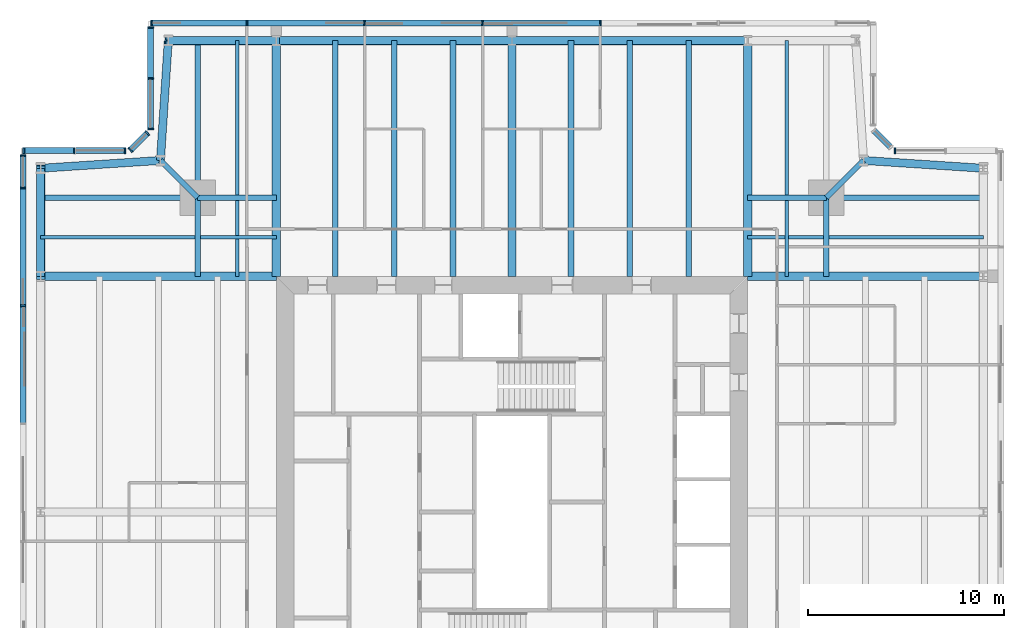
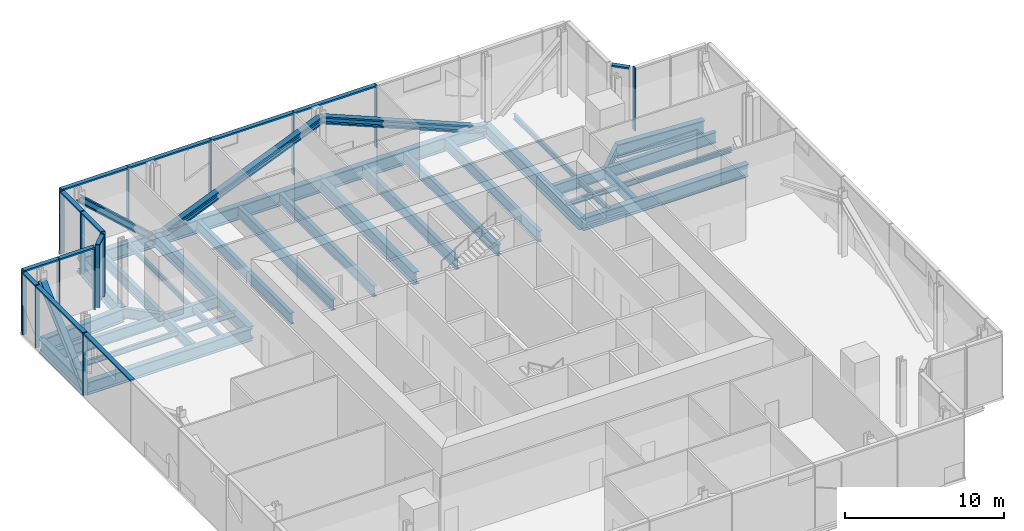
# One storey, part 4 of 15: 37 beams, 34 members, 7 elements without a shape of their own.
"""IFC4 building model written with IfcOpenShell, lengths in metres."""

from ifc_helpers import new_model, si_unit, direction, frame, origin, origin_2d, place, context, subcontext, project, spatial, rectangle, i_section, extrude, material, material_profile, profile_set, type_object, element, aggregate, save


model = new_model("IFC4")

# Units and contexts
model_context = context("Model", 3, precision=1e-05, world=origin(), true_north=direction((0.0, 1.0)))
body_context = subcontext(model_context, "Body", "Model", "MODEL_VIEW")
ifc_project = project(units=[si_unit("LENGTHUNIT", "METRE"), si_unit("AREAUNIT", "SQUARE_METRE"), si_unit("VOLUMEUNIT", "CUBIC_METRE"), si_unit("PLANEANGLEUNIT", "RADIAN"), si_unit("MASSUNIT", "GRAM", prefix="KILO")], contexts=[model_context])

# Site, building, storey
site_placement = place(None, origin())
site = spatial("IfcSite", under=ifc_project, at=site_placement, CompositionType="ELEMENT")
building_placement = place(site_placement, origin())
building = spatial("IfcBuilding", under=site, at=building_placement, Name="Fenwick Lantern Interchange", CompositionType="ELEMENT")
storey_placement = place(building_placement, frame((0.0, 0.0, 296.800048828125)))
storey = spatial("IfcBuildingStorey", under=building, at=storey_placement, Name="L72", CompositionType="ELEMENT", Elevation=296.800048828125)

# Beams
ifc_material_1 = material(Name="Steel ASTM A992 Grade 50", Category="steel")
ifc_material_profile_1 = material_profile(ifc_material_1, i_section(OverallWidth=0.408935546875, OverallDepth=1.04150390625, WebThickness=0.031005859375, FlangeThickness=0.055908203125, at=origin_2d()), Name="W40X397")
ifc_profile_set_1 = profile_set([ifc_material_profile_1], Name="Steel ASTM A992 Grade 50")
beam_type_1 = type_object("IfcBeamType", Name="EDGE BEAM W40X397", PredefinedType="SPANDREL", material=ifc_profile_set_1)
beam_1_placement = place(storey_placement, frame((49.0, 42.5, -0.720703125), z_axis=(-0.997858060337, 0.065416293237, 0.0), x_axis=(-0.065416293237, -0.997858060337, 0.0)))
element("IfcBeam", 1, at=beam_1_placement, inside=storey, type_object=beam_type_1, Name="L72/FR/E/EBR1", PredefinedType="SPANDREL", context=body_context, shape_type="SweptSolid", body=[
    extrude(i_section(OverallWidth=0.408935546875, OverallDepth=1.04150390625, WebThickness=0.031005859375, FlangeThickness=0.055908203125, at=origin_2d()), origin(), (0.0, 0.0, 1.0), 6.11328125),
])
for number, where, z_axis, x_axis, name in (
    (2, (37.0, 49.0, -0.720703125), (-1.0, 0.0, 0.0), (0.0, -1.0, 0.0), "L72/FR/N/EB2"),
    (3, (25.0, 49.0, -0.720703125), (-1.0, 0.0, 0.0), (0.0, -1.0, 0.0), "L72/FR/N/EB3"),
):
    element("IfcBeam", number, at=place(storey_placement, frame(where, z_axis=z_axis, x_axis=x_axis)), inside=storey, type_object=beam_type_1, Name=name, PredefinedType="SPANDREL", context=body_context, shape_type="SweptSolid", body=[
        extrude(i_section(OverallWidth=0.408935546875, OverallDepth=1.04150390625, WebThickness=0.031005859375, FlangeThickness=0.055908203125, at=origin_2d()), origin(), (0.0, 0.0, 1.0), 12.0),
    ])
beam_2_placement = place(storey_placement, frame((13.0, 49.0, -0.720703125), z_axis=(-1.0, 0.0, 0.0), x_axis=(0.0, -1.0, 0.0)))
element("IfcBeam", 4, at=beam_2_placement, inside=storey, type_object=beam_type_1, Name="L72/FR/N/EB4", PredefinedType="SPANDREL", context=body_context, shape_type="SweptSolid", body=[
    extrude(i_section(OverallWidth=0.408935546875, OverallDepth=1.04150390625, WebThickness=0.031005859375, FlangeThickness=0.055908203125, at=origin_2d()), origin(), (0.0, 0.0, 1.0), 5.5),
])
for number, where, z_axis, x_axis, name in (
    (5, (7.5, 49.0, -0.720703125), (-0.065416293237, -0.997858060337, 0.0), (0.997858060337, -0.065416293237, 0.0), "L72/FR/N/EBR1"),
    (6, (7.10009765625, 42.89990234375, -0.720703125), (-0.997858060337, -0.065416293237, 0.0), (0.065416293237, -0.997858060337, 0.0), "L72/FR/N/EBR2"),
):
    element("IfcBeam", number, at=place(storey_placement, frame(where, z_axis=z_axis, x_axis=x_axis)), inside=storey, type_object=beam_type_1, Name=name, PredefinedType="SPANDREL", context=body_context, shape_type="SweptSolid", body=[
        extrude(i_section(OverallWidth=0.408935546875, OverallDepth=1.04150390625, WebThickness=0.031005859375, FlangeThickness=0.055908203125, at=origin_2d()), origin(), (0.0, 0.0, 1.0), 6.11328125),
    ])
beam_3_placement = place(storey_placement, frame((1.0, 42.5, -0.720703125), z_axis=(0.0, -1.0, 0.0), x_axis=(1.0, 0.0, 0.0)))
element("IfcBeam", 7, at=beam_3_placement, inside=storey, type_object=beam_type_1, Name="L72/FR/W/EB1", PredefinedType="SPANDREL", context=body_context, shape_type="SweptSolid", body=[
    extrude(i_section(OverallWidth=0.408935546875, OverallDepth=1.04150390625, WebThickness=0.031005859375, FlangeThickness=0.055908203125, at=origin_2d()), origin(), (0.0, 0.0, 1.0), 5.5),
])

# Members
ifc_material_profile_2 = material_profile(ifc_material_1, i_section(OverallWidth=0.424072265625, OverallDepth=0.47509765625, WebThickness=0.0478515625, FlangeThickness=0.0771484375, at=origin_2d()), Name="W14X426")
ifc_profile_set_2 = profile_set([ifc_material_profile_2], Name="Steel ASTM A992 Grade 50")
member_type_1 = type_object("IfcMemberType", Name="FACADE BRACE W14X426", PredefinedType="BRACE", material=ifc_profile_set_2)
for number, where, z_axis, x_axis, name in (
    (8, (13.0, 49.0, -0.720703125), (-0.739940073396, 0.0, 0.672672793996), (0.0, -1.0, 0.0), "L72/FB/N/BE"),
    (9, (1.0, 37.0, -0.720703125), (0.0, 0.739940073396, 0.672672793996), (-1.0, 0.0, 0.0), "L72/FB/W/AE"),
):
    element("IfcMember", number, at=place(storey_placement, frame(where, z_axis=z_axis, x_axis=x_axis)), inside=storey, type_object=member_type_1, Name=name, PredefinedType="BRACE", context=body_context, shape_type="SweptSolid", body=[
        extrude(i_section(OverallWidth=0.424072265625, OverallDepth=0.47509765625, WebThickness=0.0478515625, FlangeThickness=0.0771484375, at=origin_2d()), origin(), (0.0, 0.0, 1.0), 7.43310546875),
    ])
ifc_material_profile_3 = material_profile(ifc_material_1, i_section(OverallWidth=0.44189453125, OverallDepth=0.53076171875, WebThickness=0.06591796875, FlangeThickness=0.105712890625, at=origin_2d()), Name="W14X605")
ifc_profile_set_3 = profile_set([ifc_material_profile_3], Name="Steel ASTM A992 Grade 50")
member_type_2 = type_object("IfcMemberType", Name="FACADE BRACE W14X605", PredefinedType="BRACE", material=ifc_profile_set_3)
for number, where, z_axis, x_axis, name in (
    (10, (37.0, 49.0, -0.720703125), (-0.923076923077, 0.0, 0.384615384615), (0.0, -1.0, 0.0), "L72/FB/N/A"),
    (11, (13.0, 49.0, -0.720703125), (0.923076923077, 0.0, 0.384615384615), (0.0, 1.0, 0.0), "L72/FB/N/B"),
):
    element("IfcMember", number, at=place(storey_placement, frame(where, z_axis=z_axis, x_axis=x_axis)), inside=storey, type_object=member_type_2, Name=name, PredefinedType="BRACE", context=body_context, shape_type="SweptSolid", body=[
        extrude(i_section(OverallWidth=0.44189453125, OverallDepth=0.53076171875, WebThickness=0.06591796875, FlangeThickness=0.105712890625, at=origin_2d()), origin(), (0.0, 0.0, 1.0), 13.0),
    ])

# Beams
ifc_material_profile_4 = material_profile(ifc_material_1, i_section(OverallWidth=0.2919921875, OverallDepth=0.845703125, WebThickness=0.015380859375, FlangeThickness=0.0244140625, at=origin_2d()), Name="W33X141")
ifc_profile_set_4 = profile_set([ifc_material_profile_4], Name="Steel ASTM A992 Grade 50")
beam_type_2 = type_object("IfcBeamType", Name="FLOOR BEAM W33X141", PredefinedType="BEAM", material=ifc_profile_set_4)
for number, where, z_axis, x_axis, name in (
    (12, (34.0, 49.0, -0.623046875), (0.0, -1.0, 0.0), (1.0, 0.0, 0.0), "L72/FR/N/R02"),
    (13, (31.0, 49.0, -0.623046875), (0.0, -1.0, 0.0), (1.0, 0.0, 0.0), "L72/FR/N/R03"),
    (14, (28.0, 49.0, -0.623046875), (0.0, -1.0, 0.0), (1.0, 0.0, 0.0), "L72/FR/N/R04"),
    (15, (22.0, 49.0, -0.623046875), (0.0, -1.0, 0.0), (1.0, 0.0, 0.0), "L72/FR/N/R06"),
    (16, (19.0, 49.0, -0.623046875), (0.0, -1.0, 0.0), (1.0, 0.0, 0.0), "L72/FR/N/R07"),
    (17, (16.0, 49.0, -0.623046875), (0.0, -1.0, 0.0), (1.0, 0.0, 0.0), "L72/FR/N/R08"),
):
    element("IfcBeam", number, at=place(storey_placement, frame(where, z_axis=z_axis, x_axis=x_axis)), inside=storey, type_object=beam_type_2, Name=name, PredefinedType="BEAM", context=body_context, shape_type="SweptSolid", body=[
        extrude(i_section(OverallWidth=0.2919921875, OverallDepth=0.845703125, WebThickness=0.015380859375, FlangeThickness=0.0244140625, at=origin_2d()), origin(), (0.0, 0.0, 1.0), 12.0),
    ])
ifc_material_profile_5 = material_profile(ifc_material_1, i_section(OverallWidth=0.177734375, OverallDepth=0.406494140625, WebThickness=0.0078125, FlangeThickness=0.012939453125, at=origin_2d()), Name="W16X40")
ifc_profile_set_5 = profile_set([ifc_material_profile_5], Name="Steel ASTM A992 Grade 50")
beam_type_3 = type_object("IfcBeamType", Name="INFILL BEAM W16X40", PredefinedType="JOIST", material=ifc_profile_set_5)
beam_4_placement = place(storey_placement, frame((39.0, 49.0, -0.4033203125), z_axis=(0.0, -1.0, 0.0), x_axis=(1.0, 0.0, 0.0)))
element("IfcBeam", 18, at=beam_4_placement, inside=storey, type_object=beam_type_3, Name="L72/FR/N/J1", PredefinedType="JOIST", context=body_context, shape_type="SweptSolid", body=[
    extrude(i_section(OverallWidth=0.177734375, OverallDepth=0.406494140625, WebThickness=0.0078125, FlangeThickness=0.012939453125, at=origin_2d()), origin(), (0.0, 0.0, 1.0), 7.85400390625),
])
beam_5_placement = place(storey_placement, frame((39.0, 40.85400390625, -0.4033203125), z_axis=(0.0, -1.0, 0.0), x_axis=(1.0, 0.0, 0.0)))
element("IfcBeam", 19, at=beam_5_placement, inside=storey, type_object=beam_type_3, Name="L72/FR/N/J2", PredefinedType="JOIST", context=body_context, shape_type="SweptSolid", body=[
    extrude(i_section(OverallWidth=0.177734375, OverallDepth=0.406494140625, WebThickness=0.0078125, FlangeThickness=0.012939453125, at=origin_2d()), origin(), (0.0, 0.0, 1.0), 3.85400390625),
])
beam_6_placement = place(storey_placement, frame((49.0, 39.0, -0.4033203125), z_axis=(-1.0, 0.0, 0.0), x_axis=(0.0, -1.0, 0.0)))
element("IfcBeam", 20, at=beam_6_placement, inside=storey, type_object=beam_type_3, Name="L72/FR/N/J3", PredefinedType="JOIST", context=body_context, shape_type="SweptSolid", body=[
    extrude(i_section(OverallWidth=0.177734375, OverallDepth=0.406494140625, WebThickness=0.0078125, FlangeThickness=0.012939453125, at=origin_2d()), origin(), (0.0, 0.0, 1.0), 7.85400390625),
])
beam_7_placement = place(storey_placement, frame((40.85400390625, 39.0, -0.4033203125), z_axis=(-1.0, 0.0, 0.0), x_axis=(0.0, -1.0, 0.0)))
element("IfcBeam", 21, at=beam_7_placement, inside=storey, type_object=beam_type_3, Name="L72/FR/N/J4", PredefinedType="JOIST", context=body_context, shape_type="SweptSolid", body=[
    extrude(i_section(OverallWidth=0.177734375, OverallDepth=0.406494140625, WebThickness=0.0078125, FlangeThickness=0.012939453125, at=origin_2d()), origin(), (0.0, 0.0, 1.0), 1.76513671875),
])
beam_8_placement = place(storey_placement, frame((38.9111328125, 39.0, -0.4033203125), z_axis=(-1.0, 0.0, 0.0), x_axis=(0.0, -1.0, 0.0)))
element("IfcBeam", 22, at=beam_8_placement, inside=storey, type_object=beam_type_3, Name="L72/FR/N/J5", PredefinedType="JOIST", context=body_context, shape_type="SweptSolid", body=[
    extrude(i_section(OverallWidth=0.177734375, OverallDepth=0.406494140625, WebThickness=0.0078125, FlangeThickness=0.012939453125, at=origin_2d()), origin(), (0.0, 0.0, 1.0), 1.9111328125),
])
beam_9_placement = place(storey_placement, frame((1.0, 39.0, -0.4033203125), z_axis=(1.0, 0.0, 0.0), x_axis=(0.0, 1.0, 0.0)))
element("IfcBeam", 23, at=beam_9_placement, inside=storey, type_object=beam_type_3, Name="L72/FR/W/J1", PredefinedType="JOIST", context=body_context, shape_type="SweptSolid", body=[
    extrude(i_section(OverallWidth=0.177734375, OverallDepth=0.406494140625, WebThickness=0.0078125, FlangeThickness=0.012939453125, at=origin_2d()), origin(), (0.0, 0.0, 1.0), 7.85400390625),
])
beam_10_placement = place(storey_placement, frame((9.14599609375, 39.0, -0.4033203125), z_axis=(1.0, 0.0, 0.0), x_axis=(0.0, 1.0, 0.0)))
element("IfcBeam", 24, at=beam_10_placement, inside=storey, type_object=beam_type_3, Name="L72/FR/W/J2", PredefinedType="JOIST", context=body_context, shape_type="SweptSolid", body=[
    extrude(i_section(OverallWidth=0.177734375, OverallDepth=0.406494140625, WebThickness=0.0078125, FlangeThickness=0.012939453125, at=origin_2d()), origin(), (0.0, 0.0, 1.0), 3.85400390625),
])
beam_11_placement = place(storey_placement, frame((11.0, 49.0, -0.4033203125), z_axis=(0.0, -1.0, 0.0), x_axis=(1.0, 0.0, 0.0)))
element("IfcBeam", 25, at=beam_11_placement, inside=storey, type_object=beam_type_3, Name="L72/FR/W/J3", PredefinedType="JOIST", context=body_context, shape_type="SweptSolid", body=[
    extrude(i_section(OverallWidth=0.177734375, OverallDepth=0.406494140625, WebThickness=0.0078125, FlangeThickness=0.012939453125, at=origin_2d()), origin(), (0.0, 0.0, 1.0), 7.85400390625),
])
beam_12_placement = place(storey_placement, frame((11.0, 40.85400390625, -0.4033203125), z_axis=(0.0, -1.0, 0.0), x_axis=(1.0, 0.0, 0.0)))
element("IfcBeam", 26, at=beam_12_placement, inside=storey, type_object=beam_type_3, Name="L72/FR/W/J4", PredefinedType="JOIST", context=body_context, shape_type="SweptSolid", body=[
    extrude(i_section(OverallWidth=0.177734375, OverallDepth=0.406494140625, WebThickness=0.0078125, FlangeThickness=0.012939453125, at=origin_2d()), origin(), (0.0, 0.0, 1.0), 1.76513671875),
])
beam_13_placement = place(storey_placement, frame((11.0, 38.9111328125, -0.4033203125), z_axis=(0.0, -1.0, 0.0), x_axis=(1.0, 0.0, 0.0)))
element("IfcBeam", 27, at=beam_13_placement, inside=storey, type_object=beam_type_3, Name="L72/FR/W/J5", PredefinedType="JOIST", context=body_context, shape_type="SweptSolid", body=[
    extrude(i_section(OverallWidth=0.177734375, OverallDepth=0.406494140625, WebThickness=0.0078125, FlangeThickness=0.012939453125, at=origin_2d()), origin(), (0.0, 0.0, 1.0), 1.9111328125),
])
ifc_material_profile_6 = material_profile(ifc_material_1, i_section(OverallWidth=0.2919921875, OverallDepth=0.845703125, WebThickness=0.015380859375, FlangeThickness=0.0244140625, at=origin_2d()), Name="W33X141")
ifc_profile_set_6 = profile_set([ifc_material_profile_6], Name="Steel ASTM A992 Grade 50")
beam_type_4 = type_object("IfcBeamType", Name="MEGA COLUMN BEAM W33X141", PredefinedType="BEAM", material=ifc_profile_set_6)
beam_14_placement = place(storey_placement, frame((41.0, 41.0, -0.623046875), z_axis=(1.0, 0.0, 0.0), x_axis=(0.0, 1.0, 0.0)))
element("IfcBeam", 28, at=beam_14_placement, inside=storey, type_object=beam_type_4, Name="L72/FR/N/MB2", PredefinedType="BEAM", context=body_context, shape_type="SweptSolid", body=[
    extrude(i_section(OverallWidth=0.2919921875, OverallDepth=0.845703125, WebThickness=0.015380859375, FlangeThickness=0.0244140625, at=origin_2d()), origin(), (0.0, 0.0, 1.0), 8.0),
])
for number, where, z_axis, x_axis, name in (
    (29, (41.0, 41.0, -0.623046875), (-1.0, 0.0, 0.0), (0.0, -1.0, 0.0), "L72/FR/N/MB3"),
    (30, (41.0, 41.0, -0.623046875), (0.0, -1.0, 0.0), (1.0, 0.0, 0.0), "L72/FR/N/MB4"),
):
    element("IfcBeam", number, at=place(storey_placement, frame(where, z_axis=z_axis, x_axis=x_axis)), inside=storey, type_object=beam_type_4, Name=name, PredefinedType="BEAM", context=body_context, shape_type="SweptSolid", body=[
        extrude(i_section(OverallWidth=0.2919921875, OverallDepth=0.845703125, WebThickness=0.015380859375, FlangeThickness=0.0244140625, at=origin_2d()), origin(), (0.0, 0.0, 1.0), 4.0),
    ])
for number, where, z_axis, x_axis, name in (
    (31, (9.0, 41.0, -0.623046875), (-1.0, 0.0, 0.0), (0.0, -1.0, 0.0), "L72/FR/W/MB1"),
    (32, (9.0, 41.0, -0.623046875), (0.0, 1.0, 0.0), (-1.0, 0.0, 0.0), "L72/FR/W/MB2"),
):
    element("IfcBeam", number, at=place(storey_placement, frame(where, z_axis=z_axis, x_axis=x_axis)), inside=storey, type_object=beam_type_4, Name=name, PredefinedType="BEAM", context=body_context, shape_type="SweptSolid", body=[
        extrude(i_section(OverallWidth=0.2919921875, OverallDepth=0.845703125, WebThickness=0.015380859375, FlangeThickness=0.0244140625, at=origin_2d()), origin(), (0.0, 0.0, 1.0), 8.0),
    ])
for number, where, z_axis, x_axis, name in (
    (33, (9.0, 41.0, -0.623046875), (0.0, -1.0, 0.0), (1.0, 0.0, 0.0), "L72/FR/W/MB3"),
    (34, (9.0, 41.0, -0.623046875), (1.0, 0.0, 0.0), (0.0, 1.0, 0.0), "L72/FR/W/MB4"),
):
    element("IfcBeam", number, at=place(storey_placement, frame(where, z_axis=z_axis, x_axis=x_axis)), inside=storey, type_object=beam_type_4, Name=name, PredefinedType="BEAM", context=body_context, shape_type="SweptSolid", body=[
        extrude(i_section(OverallWidth=0.2919921875, OverallDepth=0.845703125, WebThickness=0.015380859375, FlangeThickness=0.0244140625, at=origin_2d()), origin(), (0.0, 0.0, 1.0), 4.0),
    ])
ifc_material_profile_7 = material_profile(ifc_material_1, i_section(OverallWidth=0.424072265625, OverallDepth=0.947509765625, WebThickness=0.02392578125, FlangeThickness=0.042724609375, at=origin_2d()), Name="W36X302")
ifc_profile_set_7 = profile_set([ifc_material_profile_7], Name="Steel ASTM A992 Grade 50")
beam_type_5 = type_object("IfcBeamType", Name="MOMENT-CONNECTED GIRDER W36X302", PredefinedType="BEAM", material=ifc_profile_set_7)
for number, where, z_axis, x_axis, name in (
    (35, (49.0, 37.0, -0.673828125), (-1.0, 0.0, 0.0), (0.0, -1.0, 0.0), "L72/FR/E/R03"),
    (36, (37.0, 49.0, -0.673828125), (0.0, -1.0, 0.0), (1.0, 0.0, 0.0), "L72/FR/N/R01"),
    (37, (25.0, 49.0, -0.673828125), (0.0, -1.0, 0.0), (1.0, 0.0, 0.0), "L72/FR/N/R05"),
    (38, (13.0, 49.0, -0.673828125), (0.0, -1.0, 0.0), (1.0, 0.0, 0.0), "L72/FR/N/R09"),
    (39, (1.0, 37.0, -0.673828125), (1.0, 0.0, 0.0), (0.0, 1.0, 0.0), "L72/FR/W/R01"),
):
    element("IfcBeam", number, at=place(storey_placement, frame(where, z_axis=z_axis, x_axis=x_axis)), inside=storey, type_object=beam_type_5, Name=name, PredefinedType="BEAM", context=body_context, shape_type="SweptSolid", body=[
        extrude(i_section(OverallWidth=0.424072265625, OverallDepth=0.947509765625, WebThickness=0.02392578125, FlangeThickness=0.042724609375, at=origin_2d()), origin(), (0.0, 0.0, 1.0), 12.0),
    ])
ifc_material_profile_8 = material_profile(ifc_material_1, i_section(OverallWidth=0.2666015625, OverallDepth=0.7568359375, WebThickness=0.013916015625, FlangeThickness=0.019287109375, at=origin_2d()), Name="W30X108")
ifc_profile_set_8 = profile_set([ifc_material_profile_8], Name="Steel ASTM A992 Grade 50")
beam_type_6 = type_object("IfcBeamType", Name="NOTCH BEAM W30X108", PredefinedType="BEAM", material=ifc_profile_set_8)
for number, where, z_axis, x_axis, name in (
    (40, (41.0, 41.0, -0.57861328125), (0.707106781187, 0.707106781187, 0.0), (-0.707106781187, 0.707106781187, 0.0), "L72/FR/N/TG"),
    (41, (9.0, 41.0, -0.57861328125), (-0.707106781187, 0.707106781187, 0.0), (-0.707106781187, -0.707106781187, 0.0), "L72/FR/W/TG"),
):
    element("IfcBeam", number, at=place(storey_placement, frame(where, z_axis=z_axis, x_axis=x_axis)), inside=storey, type_object=beam_type_6, Name=name, PredefinedType="BEAM", context=body_context, shape_type="SweptSolid", body=[
        extrude(i_section(OverallWidth=0.2666015625, OverallDepth=0.7568359375, WebThickness=0.013916015625, FlangeThickness=0.019287109375, at=origin_2d()), origin(), (0.0, 0.0, 1.0), 2.686767578125),
    ])

# Curtain wall, member
ifc_material_2 = material(Name="Aluminium curtain wall frame", Category="aluminium")
curtain_wall_type = type_object("IfcCurtainWallType", Name="SKY LOBBY GLAZING", PredefinedType="USERDEFINED", material=ifc_material_2)
curtain_wall_1_placement = place(storey_placement, origin())
curtain_wall_1 = element("IfcCurtainWall", 42, at=curtain_wall_1_placement, inside=storey, type_object=curtain_wall_type, Name="Sky lobby glazing 06", ObjectType="SKY LOBBY GLAZING", PredefinedType="USERDEFINED")
ifc_material_3 = material(Name="Aluminium extrusion", Category="aluminium")
ifc_material_profile_9 = material_profile(ifc_material_3, rectangle(XDim=0.300048828125, YDim=0.080078125, at=origin_2d()), Name="SKY LOBBY GLAZING MULLION 80 X 300")
ifc_profile_set_9 = profile_set([ifc_material_profile_9], Name="Aluminium extrusion")
member_type_3 = type_object("IfcMemberType", Name="SKY LOBBY GLAZING MULLION 80 X 300", PredefinedType="MULLION", material=ifc_profile_set_9)
member_1_placement = place(storey_placement, frame((44.49853515625, 43.39990234375, 0.0), z_axis=(0.0, 0.0, 1.0), x_axis=(0.0, -1.0, 0.0)))
member_1 = element("IfcMember", 43, at=member_1_placement, type_object=member_type_3, Name="L72/CW/06/M02", PredefinedType="MULLION", context=body_context, shape_type="SweptSolid", body=[
    extrude(rectangle(XDim=0.300048828125, YDim=0.080078125, at=origin_2d()), origin(), (0.0, 0.0, 1.0), 4.800048828125),
])
aggregate(curtain_wall_1, [member_1])

# Curtain wall, members
curtain_wall_2_placement = place(storey_placement, origin())
curtain_wall_2 = element("IfcCurtainWall", 44, at=curtain_wall_2_placement, inside=storey, type_object=curtain_wall_type, Name="Sky lobby glazing 09", ObjectType="SKY LOBBY GLAZING", PredefinedType="USERDEFINED")
member_2_placement = place(storey_placement, frame((29.5, 49.89990234375, 0.0), z_axis=(0.0, 0.0, 1.0), x_axis=(0.0, -1.0, 0.0)))
member_2 = element("IfcMember", 45, at=member_2_placement, type_object=member_type_3, Name="L72/CW/09/M03", PredefinedType="MULLION", context=body_context, shape_type="SweptSolid", body=[
    extrude(rectangle(XDim=0.300048828125, YDim=0.080078125, at=origin_2d()), origin(), (0.0, 0.0, 1.0), 4.800048828125),
])
member_3_placement = place(storey_placement, frame((23.5, 49.89990234375, 0.0), z_axis=(0.0, 0.0, 1.0), x_axis=(0.0, -1.0, 0.0)))
member_3 = element("IfcMember", 46, at=member_3_placement, type_object=member_type_3, Name="L72/CW/09/M04", PredefinedType="MULLION", context=body_context, shape_type="SweptSolid", body=[
    extrude(rectangle(XDim=0.300048828125, YDim=0.080078125, at=origin_2d()), origin(), (0.0, 0.0, 1.0), 4.800048828125),
])
member_4_placement = place(storey_placement, frame((17.5, 49.89990234375, 0.0), z_axis=(0.0, 0.0, 1.0), x_axis=(0.0, -1.0, 0.0)))
member_4 = element("IfcMember", 47, at=member_4_placement, type_object=member_type_3, Name="L72/CW/09/M05", PredefinedType="MULLION", context=body_context, shape_type="SweptSolid", body=[
    extrude(rectangle(XDim=0.300048828125, YDim=0.080078125, at=origin_2d()), origin(), (0.0, 0.0, 1.0), 4.800048828125),
])
member_5_placement = place(storey_placement, frame((11.5, 49.89990234375, 0.0), z_axis=(0.0, 0.0, 1.0), x_axis=(0.0, -1.0, 0.0)))
member_5 = element("IfcMember", 48, at=member_5_placement, type_object=member_type_3, Name="L72/CW/09/M06", PredefinedType="MULLION", context=body_context, shape_type="SweptSolid", body=[
    extrude(rectangle(XDim=0.300048828125, YDim=0.080078125, at=origin_2d()), origin(), (0.0, 0.0, 1.0), 4.800048828125),
])
member_6_placement = place(storey_placement, frame((6.639892578125, 49.89990234375, 0.0), z_axis=(0.0, 0.0, 1.0), x_axis=(0.0, -1.0, 0.0)))
member_6 = element("IfcMember", 49, at=member_6_placement, type_object=member_type_3, Name="L72/CW/09/M07", PredefinedType="MULLION", context=body_context, shape_type="SweptSolid", body=[
    extrude(rectangle(XDim=0.300048828125, YDim=0.080078125, at=origin_2d()), origin(), (0.0, 0.0, 1.0), 4.800048828125),
])

curtain_wall_3_placement = place(storey_placement, origin())
curtain_wall_3 = element("IfcCurtainWall", 50, at=curtain_wall_3_placement, inside=storey, type_object=curtain_wall_type, Name="Sky lobby glazing 10", ObjectType="SKY LOBBY GLAZING", PredefinedType="USERDEFINED")
member_7_placement = place(storey_placement, frame((6.60009765625, 49.659912109375, 0.0), z_axis=(0.0, 0.0, 1.0), x_axis=(1.0, 0.0, 0.0)))
member_7 = element("IfcMember", 51, at=member_7_placement, type_object=member_type_3, Name="L72/CW/10/M00", PredefinedType="MULLION", context=body_context, shape_type="SweptSolid", body=[
    extrude(rectangle(XDim=0.300048828125, YDim=0.080078125, at=origin_2d()), origin(), (0.0, 0.0, 1.0), 4.800048828125),
])
member_8_placement = place(storey_placement, frame((6.60009765625, 47.079345703125, 0.0), z_axis=(0.0, 0.0, 1.0), x_axis=(1.0, 0.0, 0.0)))
member_8 = element("IfcMember", 52, at=member_8_placement, type_object=member_type_3, Name="L72/CW/10/M01", PredefinedType="MULLION", context=body_context, shape_type="SweptSolid", body=[
    extrude(rectangle(XDim=0.300048828125, YDim=0.080078125, at=origin_2d()), origin(), (0.0, 0.0, 1.0), 4.800048828125),
])
member_9_placement = place(storey_placement, frame((6.60009765625, 44.49853515625, 0.0), z_axis=(0.0, 0.0, 1.0), x_axis=(1.0, 0.0, 0.0)))
member_9 = element("IfcMember", 53, at=member_9_placement, type_object=member_type_3, Name="L72/CW/10/M02", PredefinedType="MULLION", context=body_context, shape_type="SweptSolid", body=[
    extrude(rectangle(XDim=0.300048828125, YDim=0.080078125, at=origin_2d()), origin(), (0.0, 0.0, 1.0), 4.800048828125),
])

curtain_wall_4_placement = place(storey_placement, origin())
curtain_wall_4 = element("IfcCurtainWall", 54, at=curtain_wall_4_placement, inside=storey, type_object=curtain_wall_type, Name="Sky lobby glazing 11", ObjectType="SKY LOBBY GLAZING", PredefinedType="USERDEFINED")
member_10_placement = place(storey_placement, frame((6.43017578125, 44.288818359375, 0.0), z_axis=(0.0, 0.0, 1.0), x_axis=(0.707106781187, -0.707106781187, 0.0)))
member_10 = element("IfcMember", 55, at=member_10_placement, type_object=member_type_3, Name="L72/CW/11/M00", PredefinedType="MULLION", context=body_context, shape_type="SweptSolid", body=[
    extrude(rectangle(XDim=0.300048828125, YDim=0.080078125, at=origin_2d()), origin(), (0.0, 0.0, 1.0), 4.800048828125),
])
member_11_placement = place(storey_placement, frame((5.56982421875, 43.42822265625, 0.0), z_axis=(0.0, 0.0, 1.0), x_axis=(0.707106781187, -0.707106781187, 0.0)))
member_11 = element("IfcMember", 56, at=member_11_placement, type_object=member_type_3, Name="L72/CW/11/M01", PredefinedType="MULLION", context=body_context, shape_type="SweptSolid", body=[
    extrude(rectangle(XDim=0.300048828125, YDim=0.080078125, at=origin_2d()), origin(), (0.0, 0.0, 1.0), 4.800048828125),
])

curtain_wall_5_placement = place(storey_placement, origin())
curtain_wall_5 = element("IfcCurtainWall", 57, at=curtain_wall_5_placement, inside=storey, type_object=curtain_wall_type, Name="Sky lobby glazing 12", ObjectType="SKY LOBBY GLAZING", PredefinedType="USERDEFINED")
member_12_placement = place(storey_placement, frame((5.301513671875, 43.39990234375, 0.0), z_axis=(0.0, 0.0, 1.0), x_axis=(0.0, -1.0, 0.0)))
member_12 = element("IfcMember", 58, at=member_12_placement, type_object=member_type_3, Name="L72/CW/12/M00", PredefinedType="MULLION", context=body_context, shape_type="SweptSolid", body=[
    extrude(rectangle(XDim=0.300048828125, YDim=0.080078125, at=origin_2d()), origin(), (0.0, 0.0, 1.0), 4.800048828125),
])
member_13_placement = place(storey_placement, frame((2.720703125, 43.39990234375, 0.0), z_axis=(0.0, 0.0, 1.0), x_axis=(0.0, -1.0, 0.0)))
member_13 = element("IfcMember", 59, at=member_13_placement, type_object=member_type_3, Name="L72/CW/12/M01", PredefinedType="MULLION", context=body_context, shape_type="SweptSolid", body=[
    extrude(rectangle(XDim=0.300048828125, YDim=0.080078125, at=origin_2d()), origin(), (0.0, 0.0, 1.0), 4.800048828125),
])
member_14_placement = place(storey_placement, frame((0.139892578125, 43.39990234375, 0.0), z_axis=(0.0, 0.0, 1.0), x_axis=(0.0, -1.0, 0.0)))
member_14 = element("IfcMember", 60, at=member_14_placement, type_object=member_type_3, Name="L72/CW/12/M02", PredefinedType="MULLION", context=body_context, shape_type="SweptSolid", body=[
    extrude(rectangle(XDim=0.300048828125, YDim=0.080078125, at=origin_2d()), origin(), (0.0, 0.0, 1.0), 4.800048828125),
])

curtain_wall_6_placement = place(storey_placement, origin())
curtain_wall_6 = element("IfcCurtainWall", 61, at=curtain_wall_6_placement, inside=storey, type_object=curtain_wall_type, Name="Sky lobby glazing 13", ObjectType="SKY LOBBY GLAZING", PredefinedType="USERDEFINED")
member_15_placement = place(storey_placement, frame((0.10009765625, 43.159912109375, 0.0), z_axis=(0.0, 0.0, 1.0), x_axis=(1.0, 0.0, 0.0)))
member_15 = element("IfcMember", 62, at=member_15_placement, type_object=member_type_3, Name="L72/CW/13/M00", PredefinedType="MULLION", context=body_context, shape_type="SweptSolid", body=[
    extrude(rectangle(XDim=0.300048828125, YDim=0.080078125, at=origin_2d()), origin(), (0.0, 0.0, 1.0), 4.800048828125),
])
member_16_placement = place(storey_placement, frame((0.10009765625, 41.5, 0.0), z_axis=(0.0, 0.0, 1.0), x_axis=(1.0, 0.0, 0.0)))
member_16 = element("IfcMember", 63, at=member_16_placement, type_object=member_type_3, Name="L72/CW/13/M01", PredefinedType="MULLION", context=body_context, shape_type="SweptSolid", body=[
    extrude(rectangle(XDim=0.300048828125, YDim=0.080078125, at=origin_2d()), origin(), (0.0, 0.0, 1.0), 4.800048828125),
])
member_17_placement = place(storey_placement, frame((0.10009765625, 35.5, 0.0), z_axis=(0.0, 0.0, 1.0), x_axis=(1.0, 0.0, 0.0)))
member_17 = element("IfcMember", 64, at=member_17_placement, type_object=member_type_3, Name="L72/CW/13/M02", PredefinedType="MULLION", context=body_context, shape_type="SweptSolid", body=[
    extrude(rectangle(XDim=0.300048828125, YDim=0.080078125, at=origin_2d()), origin(), (0.0, 0.0, 1.0), 4.800048828125),
])

# Curtain wall, member
curtain_wall_7_placement = place(storey_placement, origin())
curtain_wall_7 = element("IfcCurtainWall", 65, at=curtain_wall_7_placement, inside=storey, type_object=curtain_wall_type, Name="Sky lobby glazing 07", ObjectType="SKY LOBBY GLAZING", PredefinedType="USERDEFINED")
ifc_material_profile_10 = material_profile(ifc_material_3, rectangle(XDim=0.300048828125, YDim=0.1201171875, at=origin_2d()), Name="SKY LOBBY GLAZING TRANSOM 120 X 300")
ifc_profile_set_10 = profile_set([ifc_material_profile_10], Name="Aluminium extrusion")
member_type_4 = type_object("IfcMemberType", Name="SKY LOBBY GLAZING TRANSOM 120 X 300", PredefinedType="MULLION", material=ifc_profile_set_10)
member_18_placement = place(storey_placement, frame((44.260498046875, 43.597900390625, 4.739990234375), z_axis=(-0.706999424203, 0.707214121873, 0.0), x_axis=(-0.707214121873, -0.706999424203, 0.0)))
member_18 = element("IfcMember", 66, at=member_18_placement, type_object=member_type_4, Name="L72/CW/07/T00", PredefinedType="MULLION", context=body_context, shape_type="SweptSolid", body=[
    extrude(rectangle(XDim=0.300048828125, YDim=0.1201171875, at=origin_2d()), origin(), (0.0, 0.0, 1.0), 1.13720703125),
])
aggregate(curtain_wall_7, [member_18])

# Member
member_19_placement = place(storey_placement, frame((29.4599609375, 49.89990234375, 4.739990234375), z_axis=(-1.0, 0.0, 0.0), x_axis=(0.0, -1.0, 0.0)))
member_19 = element("IfcMember", 67, at=member_19_placement, type_object=member_type_4, Name="L72/CW/09/T03", PredefinedType="MULLION", context=body_context, shape_type="SweptSolid", body=[
    extrude(rectangle(XDim=0.300048828125, YDim=0.1201171875, at=origin_2d()), origin(), (0.0, 0.0, 1.0), 5.919921875),
])

member_20_placement = place(storey_placement, frame((23.4599609375, 49.89990234375, 4.739990234375), z_axis=(-1.0, 0.0, 0.0), x_axis=(0.0, -1.0, 0.0)))
member_20 = element("IfcMember", 68, at=member_20_placement, type_object=member_type_4, Name="L72/CW/09/T04", PredefinedType="MULLION", context=body_context, shape_type="SweptSolid", body=[
    extrude(rectangle(XDim=0.300048828125, YDim=0.1201171875, at=origin_2d()), origin(), (0.0, 0.0, 1.0), 5.919921875),
])

member_21_placement = place(storey_placement, frame((17.4599609375, 49.89990234375, 4.739990234375), z_axis=(-1.0, 0.0, 0.0), x_axis=(0.0, -1.0, 0.0)))
member_21 = element("IfcMember", 69, at=member_21_placement, type_object=member_type_4, Name="L72/CW/09/T05", PredefinedType="MULLION", context=body_context, shape_type="SweptSolid", body=[
    extrude(rectangle(XDim=0.300048828125, YDim=0.1201171875, at=origin_2d()), origin(), (0.0, 0.0, 1.0), 5.919921875),
])

member_22_placement = place(storey_placement, frame((11.4599609375, 49.89990234375, 4.739990234375), z_axis=(-1.0, 0.0, 0.0), x_axis=(0.0, -1.0, 0.0)))
member_22 = element("IfcMember", 70, at=member_22_placement, type_object=member_type_4, Name="L72/CW/09/T06", PredefinedType="MULLION", context=body_context, shape_type="SweptSolid", body=[
    extrude(rectangle(XDim=0.300048828125, YDim=0.1201171875, at=origin_2d()), origin(), (0.0, 0.0, 1.0), 4.780029296875),
])

aggregate(curtain_wall_2, [member_2, member_3, member_4, member_5, member_6, member_19, member_20, member_21, member_22])

member_23_placement = place(storey_placement, frame((6.60009765625, 49.6201171875, 4.739990234375), z_axis=(0.0, -1.0, 0.0), x_axis=(1.0, 0.0, 0.0)))
member_23 = element("IfcMember", 71, at=member_23_placement, type_object=member_type_4, Name="L72/CW/10/T00", PredefinedType="MULLION", context=body_context, shape_type="SweptSolid", body=[
    extrude(rectangle(XDim=0.300048828125, YDim=0.1201171875, at=origin_2d()), origin(), (0.0, 0.0, 1.0), 2.500732421875),
])

member_24_placement = place(storey_placement, frame((6.60009765625, 47.039306640625, 4.739990234375), z_axis=(0.0, -1.0, 0.0), x_axis=(1.0, 0.0, 0.0)))
member_24 = element("IfcMember", 72, at=member_24_placement, type_object=member_type_4, Name="L72/CW/10/T01", PredefinedType="MULLION", context=body_context, shape_type="SweptSolid", body=[
    extrude(rectangle(XDim=0.300048828125, YDim=0.1201171875, at=origin_2d()), origin(), (0.0, 0.0, 1.0), 2.500732421875),
])

aggregate(curtain_wall_3, [member_7, member_8, member_9, member_23, member_24])

member_25_placement = place(storey_placement, frame((6.402099609375, 44.260498046875, 4.739990234375), z_axis=(-0.707214121873, -0.706999424203, 0.0), x_axis=(0.706999424203, -0.707214121873, 0.0)))
member_25 = element("IfcMember", 73, at=member_25_placement, type_object=member_type_4, Name="L72/CW/11/T00", PredefinedType="MULLION", context=body_context, shape_type="SweptSolid", body=[
    extrude(rectangle(XDim=0.300048828125, YDim=0.1201171875, at=origin_2d()), origin(), (0.0, 0.0, 1.0), 1.13720703125),
])

aggregate(curtain_wall_4, [member_10, member_11, member_25])

member_26_placement = place(storey_placement, frame((5.261474609375, 43.39990234375, 4.739990234375), z_axis=(-1.0, 0.0, 0.0), x_axis=(0.0, -1.0, 0.0)))
member_26 = element("IfcMember", 74, at=member_26_placement, type_object=member_type_4, Name="L72/CW/12/T00", PredefinedType="MULLION", context=body_context, shape_type="SweptSolid", body=[
    extrude(rectangle(XDim=0.300048828125, YDim=0.1201171875, at=origin_2d()), origin(), (0.0, 0.0, 1.0), 2.500732421875),
])

member_27_placement = place(storey_placement, frame((2.6806640625, 43.39990234375, 4.739990234375), z_axis=(-1.0, 0.0, 0.0), x_axis=(0.0, -1.0, 0.0)))
member_27 = element("IfcMember", 75, at=member_27_placement, type_object=member_type_4, Name="L72/CW/12/T01", PredefinedType="MULLION", context=body_context, shape_type="SweptSolid", body=[
    extrude(rectangle(XDim=0.300048828125, YDim=0.1201171875, at=origin_2d()), origin(), (0.0, 0.0, 1.0), 2.500732421875),
])

aggregate(curtain_wall_5, [member_12, member_13, member_14, member_26, member_27])

member_28_placement = place(storey_placement, frame((0.10009765625, 43.1201171875, 4.739990234375), z_axis=(0.0, -1.0, 0.0), x_axis=(1.0, 0.0, 0.0)))
member_28 = element("IfcMember", 76, at=member_28_placement, type_object=member_type_4, Name="L72/CW/13/T00", PredefinedType="MULLION", context=body_context, shape_type="SweptSolid", body=[
    extrude(rectangle(XDim=0.300048828125, YDim=0.1201171875, at=origin_2d()), origin(), (0.0, 0.0, 1.0), 1.580078125),
])

member_29_placement = place(storey_placement, frame((0.10009765625, 41.4599609375, 4.739990234375), z_axis=(0.0, -1.0, 0.0), x_axis=(1.0, 0.0, 0.0)))
member_29 = element("IfcMember", 77, at=member_29_placement, type_object=member_type_4, Name="L72/CW/13/T01", PredefinedType="MULLION", context=body_context, shape_type="SweptSolid", body=[
    extrude(rectangle(XDim=0.300048828125, YDim=0.1201171875, at=origin_2d()), origin(), (0.0, 0.0, 1.0), 5.919921875),
])

member_30_placement = place(storey_placement, frame((0.10009765625, 35.4599609375, 4.739990234375), z_axis=(0.0, -1.0, 0.0), x_axis=(1.0, 0.0, 0.0)))
member_30 = element("IfcMember", 78, at=member_30_placement, type_object=member_type_4, Name="L72/CW/13/T02", PredefinedType="MULLION", context=body_context, shape_type="SweptSolid", body=[
    extrude(rectangle(XDim=0.300048828125, YDim=0.1201171875, at=origin_2d()), origin(), (0.0, 0.0, 1.0), 5.919921875),
])

aggregate(curtain_wall_6, [member_15, member_16, member_17, member_28, member_29, member_30])

save(model, "model.ifc")
